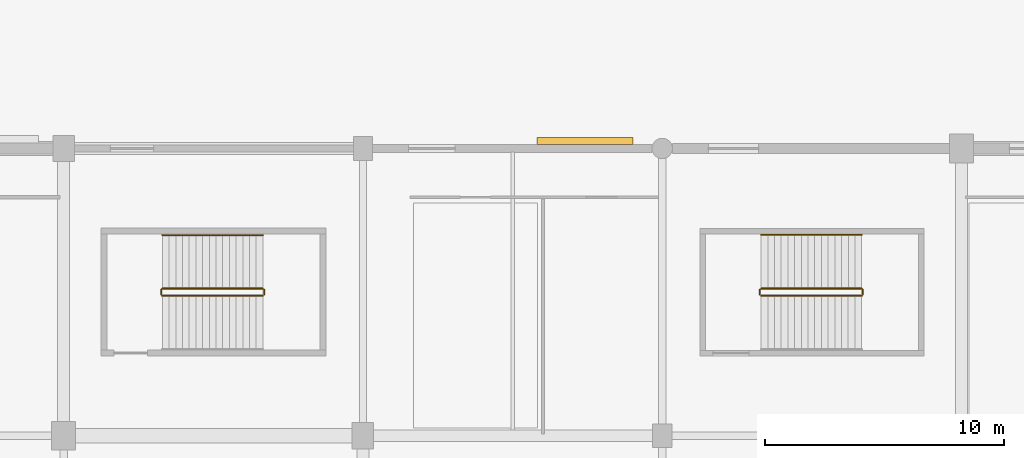
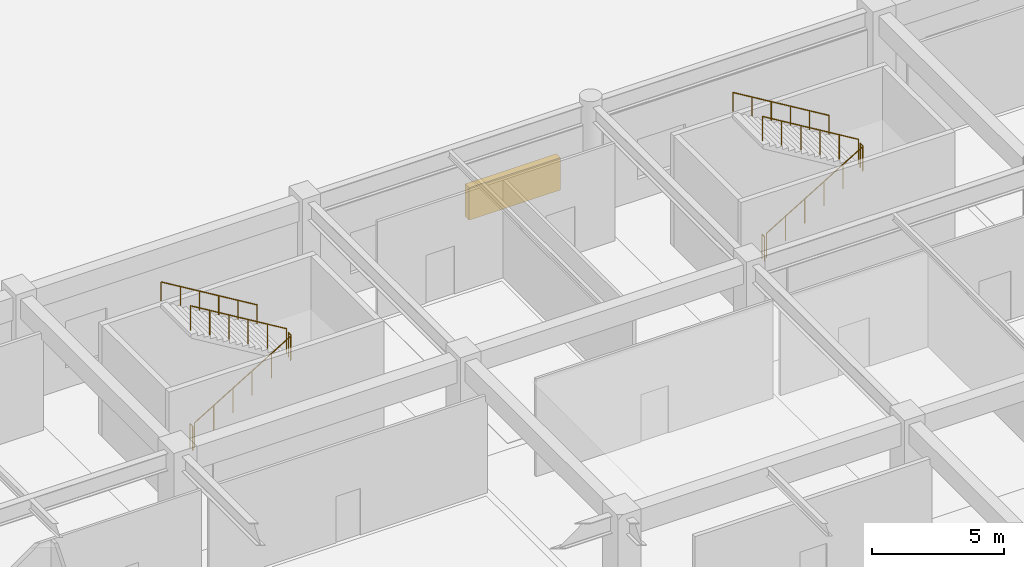
# One storey, part 52 of 69: 10 railings, 1 shading device.
"""IFC4 building model written with IfcOpenShell, lengths in metres."""

from ifc_helpers import new_model, si_unit, direction, frame, origin, origin_2d, place, context, subcontext, project, spatial, rectangle, circle, extrude, material, layer, layer_set, type_object, element, save


model = new_model("IFC4")

# Units and contexts
model_context = context("Model", 3, precision=1e-05, world=origin(), true_north=direction((0.0, 1.0)))
body_context = subcontext(model_context, "Body", "Model", "MODEL_VIEW")
ifc_project = project(units=[si_unit("LENGTHUNIT", "METRE"), si_unit("AREAUNIT", "SQUARE_METRE"), si_unit("VOLUMEUNIT", "CUBIC_METRE"), si_unit("PLANEANGLEUNIT", "RADIAN"), si_unit("MASSUNIT", "GRAM", prefix="KILO")], contexts=[model_context])

# Site, building, storey
site_placement = place(None, origin())
site = spatial("IfcSite", under=ifc_project, at=site_placement, CompositionType="ELEMENT")
building_placement = place(site_placement, origin())
building = spatial("IfcBuilding", under=site, at=building_placement, Name="Kazenohara Klinker Stadium", CompositionType="ELEMENT")
storey_placement = place(building_placement, origin())
storey = spatial("IfcBuildingStorey", under=building, at=storey_placement, Name="L00", CompositionType="ELEMENT", Elevation=0.0)

# Railings
ifc_material_1 = material(Name="Brushed stainless steel 304 handrail", Category="steel")
ifc_layer_1 = layer(ifc_material_1, 0.050048828125)
ifc_layer_set_1 = layer_set([ifc_layer_1], Name="Brushed stainless steel 304 handrail")
railing_type_1 = type_object("IfcRailingType", Name="RL-HND-900", PredefinedType="HANDRAIL", material=ifc_layer_set_1)
railing_1_placement = place(storey_placement, frame((133.320068359375, 32.3798828125, 2.86865234375)))
element("IfcRailing", 1, at=railing_1_placement, inside=storey, type_object=railing_type_1, Name="L00 ST27 stair handrail 2", PredefinedType="HANDRAIL", context=body_context, shape_type="SweptSolid", body=[
    extrude(circle(Radius=0.02392578125, at=origin_2d()), frame((0.0, 0.0, 0.8759765625), z_axis=(-0.856476492594, 0.0, 0.516186030065), x_axis=(0.0, -1.0, 0.0)), (0.0, 0.0, 1.0), 4.90380859375),
    extrude(circle(Radius=0.02099609375, at=origin_2d()), origin(), (0.0, 0.0, 1.0), 0.851806640625),
    extrude(circle(Radius=0.02099609375, at=origin_2d()), frame((-0.840087890625, 0.0, 0.50634765625)), (0.0, 0.0, 1.0), 0.851806640625),
    extrude(circle(Radius=0.02099609375, at=origin_2d()), frame((-1.679931640625, 0.0, 1.012451171875)), (0.0, 0.0, 1.0), 0.851806640625),
    extrude(circle(Radius=0.02099609375, at=origin_2d()), frame((-2.52001953125, 0.0, 1.518798828125)), (0.0, 0.0, 1.0), 0.851806640625),
    extrude(circle(Radius=0.02099609375, at=origin_2d()), frame((-3.35986328125, 0.0, 2.02490234375)), (0.0, 0.0, 1.0), 0.851806640625),
    extrude(circle(Radius=0.02099609375, at=origin_2d()), frame((-4.199951171875, 0.0, 2.53125)), (0.0, 0.0, 1.0), 0.851806640625),
])
railing_2_placement = place(storey_placement, frame((158.330078125, 32.389892578125, 2.86865234375)))
element("IfcRailing", 2, at=railing_2_placement, inside=storey, type_object=railing_type_1, Name="L00 ST28 stair handrail 2", PredefinedType="HANDRAIL", context=body_context, shape_type="SweptSolid", body=[
    extrude(circle(Radius=0.02392578125, at=origin_2d()), frame((0.0, 0.0, 0.8759765625), z_axis=(-0.856489757249, 0.0, 0.516164020179), x_axis=(0.0, -1.0, 0.0)), (0.0, 0.0, 1.0), 4.904052734375),
    extrude(circle(Radius=0.02099609375, at=origin_2d()), origin(), (0.0, 0.0, 1.0), 0.851806640625),
    extrude(circle(Radius=0.02099609375, at=origin_2d()), frame((-0.840087890625, 0.0, 0.50634765625)), (0.0, 0.0, 1.0), 0.851806640625),
    extrude(circle(Radius=0.02099609375, at=origin_2d()), frame((-1.68017578125, 0.0, 1.012451171875)), (0.0, 0.0, 1.0), 0.851806640625),
    extrude(circle(Radius=0.02099609375, at=origin_2d()), frame((-2.52001953125, 0.0, 1.518798828125)), (0.0, 0.0, 1.0), 0.851806640625),
    extrude(circle(Radius=0.02099609375, at=origin_2d()), frame((-3.360107421875, 0.0, 2.02490234375)), (0.0, 0.0, 1.0), 0.851806640625),
    extrude(circle(Radius=0.02099609375, at=origin_2d()), frame((-4.2001953125, 0.0, 2.53125)), (0.0, 0.0, 1.0), 0.851806640625),
])
ifc_material_2 = material(Name="Painted steel stairwell guardrail", Category="steel")
ifc_layer_2 = layer(ifc_material_2, 0.06005859375)
ifc_layer_set_2 = layer_set([ifc_layer_2], Name="Painted steel stairwell guardrail")
railing_type_2 = type_object("IfcRailingType", Name="RL-STG-1120", PredefinedType="GUARDRAIL", material=ifc_layer_set_2)
railing_3_placement = place(storey_placement, frame((129.1201171875, 29.85009765625, 0.168701171875)))
element("IfcRailing", 3, at=railing_3_placement, inside=storey, type_object=railing_type_2, Name="L00 ST27 stair guard 1", PredefinedType="GUARDRAIL", context=body_context, shape_type="SweptSolid", body=[
    extrude(circle(Radius=0.02392578125, at=origin_2d()), frame((0.0, 0.0, 1.1259765625), z_axis=(0.856476492594, 0.0, 0.516186030065), x_axis=(0.0, 1.0, 0.0)), (0.0, 0.0, 1.0), 4.90380859375),
    extrude(circle(Radius=0.02099609375, at=origin_2d()), origin(), (0.0, 0.0, 1.0), 1.101806640625),
    extrude(circle(Radius=0.02099609375, at=origin_2d()), frame((0.840087890625, 0.0, 0.50634765625)), (0.0, 0.0, 1.0), 1.101806640625),
    extrude(circle(Radius=0.02099609375, at=origin_2d()), frame((1.679931640625, 0.0, 1.012451171875)), (0.0, 0.0, 1.0), 1.101806640625),
    extrude(circle(Radius=0.02099609375, at=origin_2d()), frame((2.52001953125, 0.0, 1.518798828125)), (0.0, 0.0, 1.0), 1.101806640625),
    extrude(circle(Radius=0.02099609375, at=origin_2d()), frame((3.35986328125, 0.0, 2.02490234375)), (0.0, 0.0, 1.0), 1.101806640625),
    extrude(circle(Radius=0.02099609375, at=origin_2d()), frame((4.199951171875, 0.0, 2.53125)), (0.0, 0.0, 1.0), 1.101806640625),
])
railing_4_placement = place(storey_placement, frame((133.3701171875, 29.89990234375, 2.699951171875)))
element("IfcRailing", 4, at=railing_4_placement, inside=storey, type_object=railing_type_2, Name="L00 ST27 stair guard 2", PredefinedType="GUARDRAIL", context=body_context, shape_type="SweptSolid", body=[
    extrude(circle(Radius=0.02392578125, at=origin_2d()), frame((0.0, 0.0, 1.1259765625), z_axis=(0.0, 1.0, 0.0), x_axis=(-1.0, 0.0, 0.0)), (0.0, 0.0, 1.0), 0.2001953125),
    extrude(circle(Radius=0.02099609375, at=origin_2d()), origin(), (0.0, 0.0, 1.0), 1.101806640625),
    extrude(circle(Radius=0.02099609375, at=origin_2d()), frame((0.0, 0.2001953125, 0.0)), (0.0, 0.0, 1.0), 1.101806640625),
])
railing_5_placement = place(storey_placement, frame((133.320068359375, 30.14990234375, 2.86865234375)))
element("IfcRailing", 5, at=railing_5_placement, inside=storey, type_object=railing_type_2, Name="L00 ST27 stair guard 3", PredefinedType="GUARDRAIL", context=body_context, shape_type="SweptSolid", body=[
    extrude(circle(Radius=0.02392578125, at=origin_2d()), frame((0.0, 0.0, 1.1259765625), z_axis=(-0.856476492594, 0.0, 0.516186030065), x_axis=(0.0, -1.0, 0.0)), (0.0, 0.0, 1.0), 4.90380859375),
    extrude(circle(Radius=0.02099609375, at=origin_2d()), origin(), (0.0, 0.0, 1.0), 1.101806640625),
    extrude(circle(Radius=0.02099609375, at=origin_2d()), frame((-0.840087890625, 0.0, 0.50634765625)), (0.0, 0.0, 1.0), 1.101806640625),
    extrude(circle(Radius=0.02099609375, at=origin_2d()), frame((-1.679931640625, 0.0, 1.012451171875)), (0.0, 0.0, 1.0), 1.101806640625),
    extrude(circle(Radius=0.02099609375, at=origin_2d()), frame((-2.52001953125, 0.0, 1.518798828125)), (0.0, 0.0, 1.0), 1.101806640625),
    extrude(circle(Radius=0.02099609375, at=origin_2d()), frame((-3.35986328125, 0.0, 2.02490234375)), (0.0, 0.0, 1.0), 1.101806640625),
    extrude(circle(Radius=0.02099609375, at=origin_2d()), frame((-4.199951171875, 0.0, 2.53125)), (0.0, 0.0, 1.0), 1.101806640625),
])
railing_6_placement = place(storey_placement, frame((129.070068359375, 29.89990234375, 0.0)))
element("IfcRailing", 6, at=railing_6_placement, inside=storey, type_object=railing_type_2, Name="L00 ST27 stair guard 4", PredefinedType="GUARDRAIL", context=body_context, shape_type="SweptSolid", body=[
    extrude(circle(Radius=0.02392578125, at=origin_2d()), frame((0.0, 0.0, 1.1259765625), z_axis=(0.0, 1.0, 0.0), x_axis=(-1.0, 0.0, 0.0)), (0.0, 0.0, 1.0), 0.2001953125),
    extrude(circle(Radius=0.02099609375, at=origin_2d()), origin(), (0.0, 0.0, 1.0), 1.101806640625),
    extrude(circle(Radius=0.02099609375, at=origin_2d()), frame((0.0, 0.2001953125, 0.0)), (0.0, 0.0, 1.0), 1.101806640625),
])
railing_7_placement = place(storey_placement, frame((154.1298828125, 29.85009765625, 0.168701171875)))
element("IfcRailing", 7, at=railing_7_placement, inside=storey, type_object=railing_type_2, Name="L00 ST28 stair guard 1", PredefinedType="GUARDRAIL", context=body_context, shape_type="SweptSolid", body=[
    extrude(circle(Radius=0.02392578125, at=origin_2d()), frame((0.0, 0.0, 1.1259765625), z_axis=(0.856489757249, 0.0, 0.516164020179), x_axis=(0.0, 1.0, 0.0)), (0.0, 0.0, 1.0), 4.904052734375),
    extrude(circle(Radius=0.02099609375, at=origin_2d()), origin(), (0.0, 0.0, 1.0), 1.101806640625),
    extrude(circle(Radius=0.02099609375, at=origin_2d()), frame((0.840087890625, 0.0, 0.50634765625)), (0.0, 0.0, 1.0), 1.101806640625),
    extrude(circle(Radius=0.02099609375, at=origin_2d()), frame((1.68017578125, 0.0, 1.012451171875)), (0.0, 0.0, 1.0), 1.101806640625),
    extrude(circle(Radius=0.02099609375, at=origin_2d()), frame((2.52001953125, 0.0, 1.518798828125)), (0.0, 0.0, 1.0), 1.101806640625),
    extrude(circle(Radius=0.02099609375, at=origin_2d()), frame((3.360107421875, 0.0, 2.02490234375)), (0.0, 0.0, 1.0), 1.101806640625),
    extrude(circle(Radius=0.02099609375, at=origin_2d()), frame((4.2001953125, 0.0, 2.53125)), (0.0, 0.0, 1.0), 1.101806640625),
])
railing_8_placement = place(storey_placement, frame((158.3798828125, 29.89990234375, 2.699951171875)))
element("IfcRailing", 8, at=railing_8_placement, inside=storey, type_object=railing_type_2, Name="L00 ST28 stair guard 2", PredefinedType="GUARDRAIL", context=body_context, shape_type="SweptSolid", body=[
    extrude(circle(Radius=0.02392578125, at=origin_2d()), frame((0.0, 0.0, 1.1259765625), z_axis=(0.0, 1.0, 0.0), x_axis=(-1.0, 0.0, 0.0)), (0.0, 0.0, 1.0), 0.2001953125),
    extrude(circle(Radius=0.02099609375, at=origin_2d()), origin(), (0.0, 0.0, 1.0), 1.101806640625),
    extrude(circle(Radius=0.02099609375, at=origin_2d()), frame((0.0, 0.2001953125, 0.0)), (0.0, 0.0, 1.0), 1.101806640625),
])
railing_9_placement = place(storey_placement, frame((158.330078125, 30.14990234375, 2.86865234375)))
element("IfcRailing", 9, at=railing_9_placement, inside=storey, type_object=railing_type_2, Name="L00 ST28 stair guard 3", PredefinedType="GUARDRAIL", context=body_context, shape_type="SweptSolid", body=[
    extrude(circle(Radius=0.02392578125, at=origin_2d()), frame((0.0, 0.0, 1.1259765625), z_axis=(-0.856489757249, 0.0, 0.516164020179), x_axis=(0.0, -1.0, 0.0)), (0.0, 0.0, 1.0), 4.904052734375),
    extrude(circle(Radius=0.02099609375, at=origin_2d()), origin(), (0.0, 0.0, 1.0), 1.101806640625),
    extrude(circle(Radius=0.02099609375, at=origin_2d()), frame((-0.840087890625, 0.0, 0.50634765625)), (0.0, 0.0, 1.0), 1.101806640625),
    extrude(circle(Radius=0.02099609375, at=origin_2d()), frame((-1.68017578125, 0.0, 1.012451171875)), (0.0, 0.0, 1.0), 1.101806640625),
    extrude(circle(Radius=0.02099609375, at=origin_2d()), frame((-2.52001953125, 0.0, 1.518798828125)), (0.0, 0.0, 1.0), 1.101806640625),
    extrude(circle(Radius=0.02099609375, at=origin_2d()), frame((-3.360107421875, 0.0, 2.02490234375)), (0.0, 0.0, 1.0), 1.101806640625),
    extrude(circle(Radius=0.02099609375, at=origin_2d()), frame((-4.2001953125, 0.0, 2.53125)), (0.0, 0.0, 1.0), 1.101806640625),
])
railing_10_placement = place(storey_placement, frame((154.080078125, 29.89990234375, 0.0)))
element("IfcRailing", 10, at=railing_10_placement, inside=storey, type_object=railing_type_2, Name="L00 ST28 stair guard 4", PredefinedType="GUARDRAIL", context=body_context, shape_type="SweptSolid", body=[
    extrude(circle(Radius=0.02392578125, at=origin_2d()), frame((0.0, 0.0, 1.1259765625), z_axis=(0.0, 1.0, 0.0), x_axis=(-1.0, 0.0, 0.0)), (0.0, 0.0, 1.0), 0.2001953125),
    extrude(circle(Radius=0.02099609375, at=origin_2d()), origin(), (0.0, 0.0, 1.0), 1.101806640625),
    extrude(circle(Radius=0.02099609375, at=origin_2d()), frame((0.0, 0.2001953125, 0.0)), (0.0, 0.0, 1.0), 1.101806640625),
])

# Shading device
ifc_material_3 = material(Name="Perforated clinker-brick and bronze louvre grille", Category="masonry")
shading_device_type = type_object("IfcShadingDeviceType", Name="SHD-LOUV-02", PredefinedType="JALOUSIE", material=ifc_material_3)
shading_device_placement = place(storey_placement, frame((146.77099609375, 36.31494140625, 1.35009765625), z_axis=(0.0, 0.0, 1.0), x_axis=(1.0, 0.0, 0.0)))
element("IfcShadingDevice", 11, at=shading_device_placement, inside=storey, type_object=shading_device_type, Name="Perforated clinker-brick louvre screen LV02-07", PredefinedType="JALOUSIE", context=body_context, shape_type="SweptSolid", body=[
    extrude(rectangle(XDim=4.0, YDim=0.300048828125, at=origin_2d()), origin(), (0.0, 0.0, 1.0), 1.5),
])

save(model, "model.ifc")
